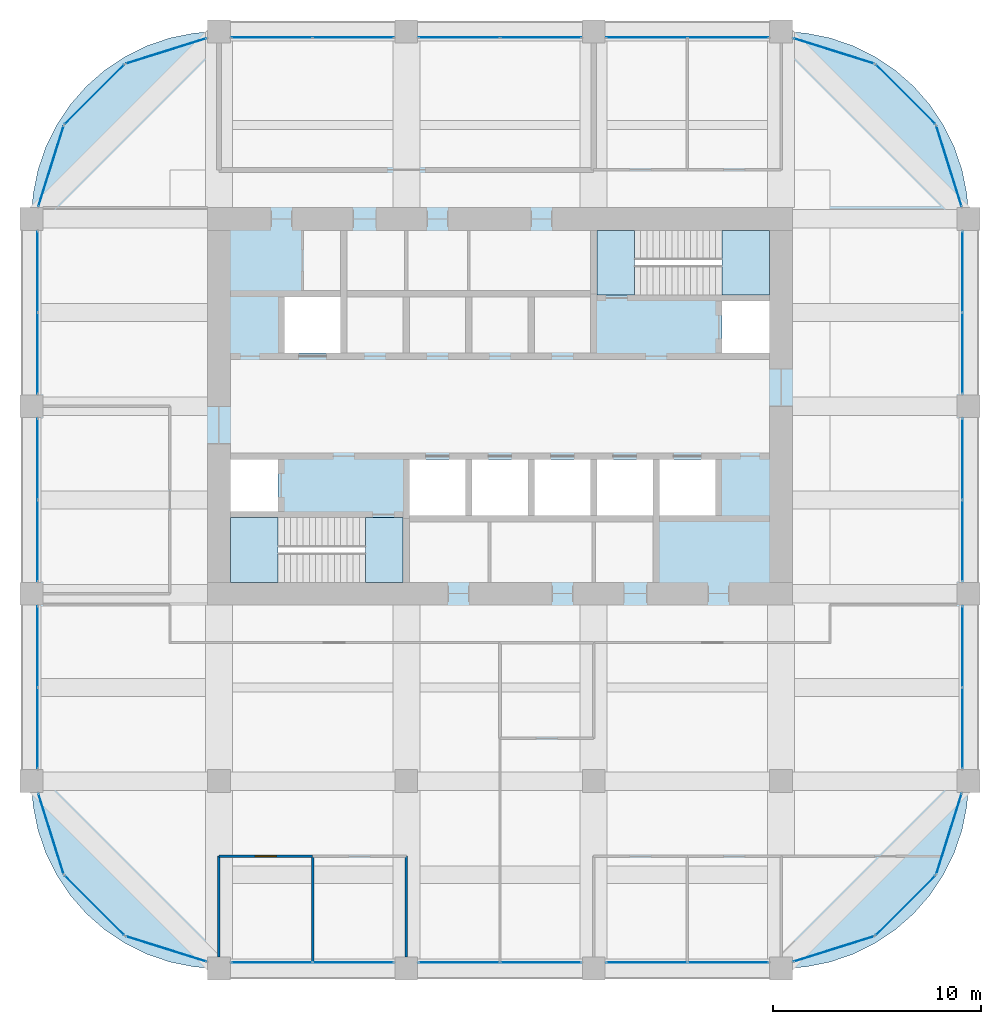
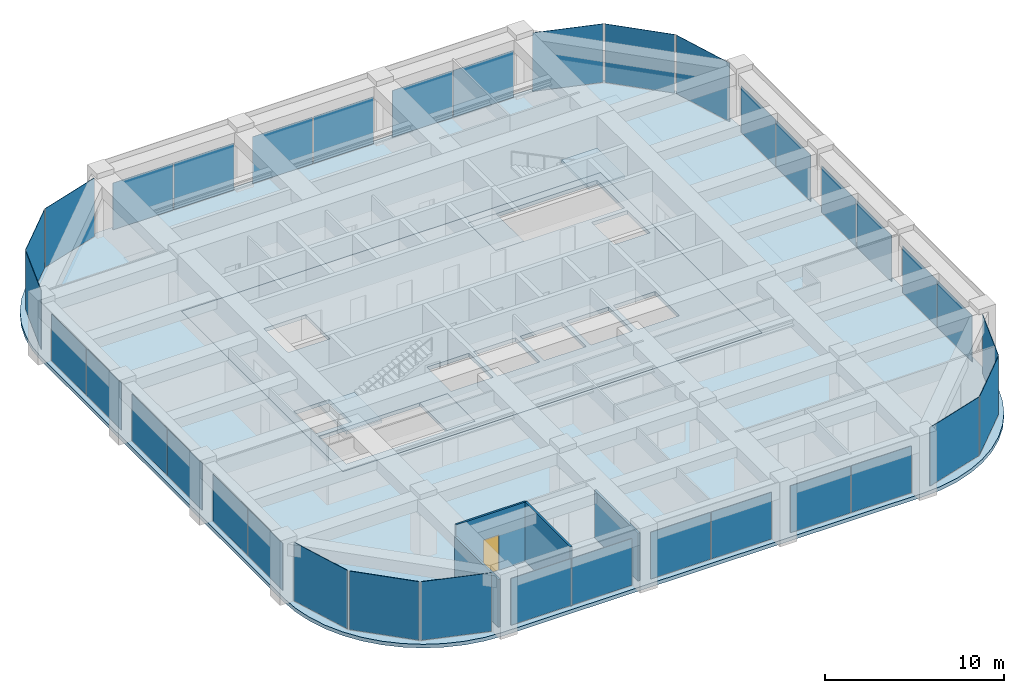
# One storey, part 40 of 44: 36 plates, 6 slabs, 4 walls, 1 door, 1 opening, 26 elements without a shape of their own.
"""IFC4 building model written with IfcOpenShell, lengths in metres."""

from ifc_helpers import new_model, si_unit, direction, frame, frame_2d, origin, origin_2d, place, context, subcontext, project, spatial, polyline, rectangle, outline, extrude, material, layer, layer_set, type_object, element, fill, aggregate, save


model = new_model("IFC4")

# Units and contexts
model_context = context("Model", 3, precision=1e-05, world=origin(), true_north=direction((0.0, 1.0)))
body_context = subcontext(model_context, "Body", "Model", "MODEL_VIEW")
ifc_project = project(units=[si_unit("LENGTHUNIT", "METRE"), si_unit("AREAUNIT", "SQUARE_METRE"), si_unit("VOLUMEUNIT", "CUBIC_METRE"), si_unit("PLANEANGLEUNIT", "RADIAN"), si_unit("MASSUNIT", "GRAM", prefix="KILO")], contexts=[model_context])

# Site, building, storey
site_placement = place(None, origin())
site = spatial("IfcSite", under=ifc_project, at=site_placement, CompositionType="ELEMENT")
building_placement = place(site_placement, origin())
building = spatial("IfcBuilding", under=site, at=building_placement, Name="Zorevar Civic Tower", CompositionType="ELEMENT")
storey_placement = place(building_placement, frame((0.0, 0.0, 307.39990234375)))
storey = spatial("IfcBuildingStorey", under=building, at=storey_placement, Name="L75", CompositionType="ELEMENT", Elevation=307.39990234375)

# Curtain wall, plates
ifc_material_1 = material(Name="Dark grey solar-control glass in black aluminium frame", Category="aluminium")
curtain_wall_type = type_object("IfcCurtainWallType", Name="Curtain wall CW5 top zone", PredefinedType="NOTDEFINED", material=ifc_material_1)
curtain_wall_1_placement = place(storey_placement, origin())
curtain_wall_1 = element("IfcCurtainWall", 1, at=curtain_wall_1_placement, inside=storey, type_object=curtain_wall_type, Name="CW5 L75", PredefinedType="NOTDEFINED")
ifc_material_2 = material(Name="Dark grey solar-control glass", Category="glass")
ifc_layer_1 = layer(ifc_material_2, 0.028076171875)
ifc_layer_set_1 = layer_set([ifc_layer_1], Name="CW5 panel 28")
plate_type = type_object("IfcPlateType", Name="CW5 panel 28", PredefinedType="CURTAIN_PANEL", material=ifc_layer_set_1)
plate_1_placement = place(storey_placement, frame((20.5400390625, 0.300048828125, 0.06005859375), z_axis=(0.0, 0.0, 1.0), x_axis=(1.0, 0.0, 0.0)))
plate_1 = element("IfcPlate", 2, at=plate_1_placement, type_object=plate_type, Name="CW5 panel 1.1", PredefinedType="CURTAIN_PANEL", context=body_context, shape_type="SweptSolid", body=[
    extrude(rectangle(XDim=3.860107421875, YDim=0.028076171875, at=origin_2d()), origin(), (0.0, 0.0, 1.0), 3.18994140625),
])
plate_2_placement = place(storey_placement, frame((24.4599609375, 0.300048828125, 0.06005859375), z_axis=(0.0, 0.0, 1.0), x_axis=(1.0, 0.0, 0.0)))
plate_2 = element("IfcPlate", 3, at=plate_2_placement, type_object=plate_type, Name="CW5 panel 2.1", PredefinedType="CURTAIN_PANEL", context=body_context, shape_type="SweptSolid", body=[
    extrude(rectangle(XDim=3.860107421875, YDim=0.028076171875, at=origin_2d()), origin(), (0.0, 0.0, 1.0), 3.18994140625),
])
aggregate(curtain_wall_1, [plate_1, plate_2])

curtain_wall_2_placement = place(storey_placement, origin())
curtain_wall_2 = element("IfcCurtainWall", 4, at=curtain_wall_2_placement, inside=storey, type_object=curtain_wall_type, Name="CW5 L75", PredefinedType="NOTDEFINED")
plate_3_placement = place(storey_placement, frame((20.5400390625, 44.699951171875, 0.06005859375), z_axis=(0.0, 0.0, 1.0), x_axis=(1.0, 0.0, 0.0)))
plate_3 = element("IfcPlate", 5, at=plate_3_placement, type_object=plate_type, Name="CW5 panel 1.1", PredefinedType="CURTAIN_PANEL", context=body_context, shape_type="SweptSolid", body=[
    extrude(rectangle(XDim=3.860107421875, YDim=0.028076171875, at=origin_2d()), origin(), (0.0, 0.0, 1.0), 3.18994140625),
])
plate_4_placement = place(storey_placement, frame((24.4599609375, 44.699951171875, 0.06005859375), z_axis=(0.0, 0.0, 1.0), x_axis=(1.0, 0.0, 0.0)))
plate_4 = element("IfcPlate", 6, at=plate_4_placement, type_object=plate_type, Name="CW5 panel 2.1", PredefinedType="CURTAIN_PANEL", context=body_context, shape_type="SweptSolid", body=[
    extrude(rectangle(XDim=3.860107421875, YDim=0.028076171875, at=origin_2d()), origin(), (0.0, 0.0, 1.0), 3.18994140625),
])
aggregate(curtain_wall_2, [plate_3, plate_4])

curtain_wall_3_placement = place(storey_placement, origin())
curtain_wall_3 = element("IfcCurtainWall", 7, at=curtain_wall_3_placement, inside=storey, type_object=curtain_wall_type, Name="CW5 L75", PredefinedType="NOTDEFINED")
plate_5_placement = place(storey_placement, frame((29.5400390625, 0.300048828125, 0.06005859375), z_axis=(0.0, 0.0, 1.0), x_axis=(1.0, 0.0, 0.0)))
plate_5 = element("IfcPlate", 8, at=plate_5_placement, type_object=plate_type, Name="CW5 panel 1.1", PredefinedType="CURTAIN_PANEL", context=body_context, shape_type="SweptSolid", body=[
    extrude(rectangle(XDim=3.860107421875, YDim=0.028076171875, at=origin_2d()), origin(), (0.0, 0.0, 1.0), 3.18994140625),
])
plate_6_placement = place(storey_placement, frame((33.4599609375, 0.300048828125, 0.06005859375), z_axis=(0.0, 0.0, 1.0), x_axis=(1.0, 0.0, 0.0)))
plate_6 = element("IfcPlate", 9, at=plate_6_placement, type_object=plate_type, Name="CW5 panel 2.1", PredefinedType="CURTAIN_PANEL", context=body_context, shape_type="SweptSolid", body=[
    extrude(rectangle(XDim=3.860107421875, YDim=0.028076171875, at=origin_2d()), origin(), (0.0, 0.0, 1.0), 3.18994140625),
])
aggregate(curtain_wall_3, [plate_5, plate_6])

curtain_wall_4_placement = place(storey_placement, origin())
curtain_wall_4 = element("IfcCurtainWall", 10, at=curtain_wall_4_placement, inside=storey, type_object=curtain_wall_type, Name="CW5 L75", PredefinedType="NOTDEFINED")
plate_7_placement = place(storey_placement, frame((29.5400390625, 44.699951171875, 0.06005859375), z_axis=(0.0, 0.0, 1.0), x_axis=(1.0, 0.0, 0.0)))
plate_7 = element("IfcPlate", 11, at=plate_7_placement, type_object=plate_type, Name="CW5 panel 1.1", PredefinedType="CURTAIN_PANEL", context=body_context, shape_type="SweptSolid", body=[
    extrude(rectangle(XDim=3.860107421875, YDim=0.028076171875, at=origin_2d()), origin(), (0.0, 0.0, 1.0), 3.18994140625),
])
plate_8_placement = place(storey_placement, frame((33.4599609375, 44.699951171875, 0.06005859375), z_axis=(0.0, 0.0, 1.0), x_axis=(1.0, 0.0, 0.0)))
plate_8 = element("IfcPlate", 12, at=plate_8_placement, type_object=plate_type, Name="CW5 panel 2.1", PredefinedType="CURTAIN_PANEL", context=body_context, shape_type="SweptSolid", body=[
    extrude(rectangle(XDim=3.860107421875, YDim=0.028076171875, at=origin_2d()), origin(), (0.0, 0.0, 1.0), 3.18994140625),
])
aggregate(curtain_wall_4, [plate_7, plate_8])

curtain_wall_5_placement = place(storey_placement, origin())
curtain_wall_5 = element("IfcCurtainWall", 13, at=curtain_wall_5_placement, inside=storey, type_object=curtain_wall_type, Name="CW5 L75", PredefinedType="NOTDEFINED")
plate_9_placement = place(storey_placement, frame((38.5400390625, 0.300048828125, 0.06005859375), z_axis=(0.0, 0.0, 1.0), x_axis=(1.0, 0.0, 0.0)))
plate_9 = element("IfcPlate", 14, at=plate_9_placement, type_object=plate_type, Name="CW5 panel 1.1", PredefinedType="CURTAIN_PANEL", context=body_context, shape_type="SweptSolid", body=[
    extrude(rectangle(XDim=3.860107421875, YDim=0.028076171875, at=origin_2d()), origin(), (0.0, 0.0, 1.0), 3.18994140625),
])
plate_10_placement = place(storey_placement, frame((42.4599609375, 0.300048828125, 0.06005859375), z_axis=(0.0, 0.0, 1.0), x_axis=(1.0, 0.0, 0.0)))
plate_10 = element("IfcPlate", 15, at=plate_10_placement, type_object=plate_type, Name="CW5 panel 2.1", PredefinedType="CURTAIN_PANEL", context=body_context, shape_type="SweptSolid", body=[
    extrude(rectangle(XDim=3.860107421875, YDim=0.028076171875, at=origin_2d()), origin(), (0.0, 0.0, 1.0), 3.18994140625),
])
aggregate(curtain_wall_5, [plate_9, plate_10])

curtain_wall_6_placement = place(storey_placement, origin())
curtain_wall_6 = element("IfcCurtainWall", 16, at=curtain_wall_6_placement, inside=storey, type_object=curtain_wall_type, Name="CW5 L75", PredefinedType="NOTDEFINED")
plate_11_placement = place(storey_placement, frame((38.5400390625, 44.699951171875, 0.06005859375), z_axis=(0.0, 0.0, 1.0), x_axis=(1.0, 0.0, 0.0)))
plate_11 = element("IfcPlate", 17, at=plate_11_placement, type_object=plate_type, Name="CW5 panel 1.1", PredefinedType="CURTAIN_PANEL", context=body_context, shape_type="SweptSolid", body=[
    extrude(rectangle(XDim=3.860107421875, YDim=0.028076171875, at=origin_2d()), origin(), (0.0, 0.0, 1.0), 3.18994140625),
])
plate_12_placement = place(storey_placement, frame((42.4599609375, 44.699951171875, 0.06005859375), z_axis=(0.0, 0.0, 1.0), x_axis=(1.0, 0.0, 0.0)))
plate_12 = element("IfcPlate", 18, at=plate_12_placement, type_object=plate_type, Name="CW5 panel 2.1", PredefinedType="CURTAIN_PANEL", context=body_context, shape_type="SweptSolid", body=[
    extrude(rectangle(XDim=3.860107421875, YDim=0.028076171875, at=origin_2d()), origin(), (0.0, 0.0, 1.0), 3.18994140625),
])
aggregate(curtain_wall_6, [plate_11, plate_12])

curtain_wall_7_placement = place(storey_placement, origin())
curtain_wall_7 = element("IfcCurtainWall", 19, at=curtain_wall_7_placement, inside=storey, type_object=curtain_wall_type, Name="CW5 L75", PredefinedType="NOTDEFINED")
plate_13_placement = place(storey_placement, frame((9.300048828125, 11.5400390625, 0.06005859375), z_axis=(0.0, 0.0, 1.0), x_axis=(0.0, 1.0, 0.0)))
plate_13 = element("IfcPlate", 20, at=plate_13_placement, type_object=plate_type, Name="CW5 panel 1.1", PredefinedType="CURTAIN_PANEL", context=body_context, shape_type="SweptSolid", body=[
    extrude(rectangle(XDim=3.860107421875, YDim=0.028076171875, at=origin_2d()), origin(), (0.0, 0.0, 1.0), 3.18994140625),
])
plate_14_placement = place(storey_placement, frame((9.300048828125, 15.4599609375, 0.06005859375), z_axis=(0.0, 0.0, 1.0), x_axis=(0.0, 1.0, 0.0)))
plate_14 = element("IfcPlate", 21, at=plate_14_placement, type_object=plate_type, Name="CW5 panel 2.1", PredefinedType="CURTAIN_PANEL", context=body_context, shape_type="SweptSolid", body=[
    extrude(rectangle(XDim=3.860107421875, YDim=0.028076171875, at=origin_2d()), origin(), (0.0, 0.0, 1.0), 3.18994140625),
])
aggregate(curtain_wall_7, [plate_13, plate_14])

curtain_wall_8_placement = place(storey_placement, origin())
curtain_wall_8 = element("IfcCurtainWall", 22, at=curtain_wall_8_placement, inside=storey, type_object=curtain_wall_type, Name="CW5 L75", PredefinedType="NOTDEFINED")
plate_15_placement = place(storey_placement, frame((53.699951171875, 11.5400390625, 0.06005859375), z_axis=(0.0, 0.0, 1.0), x_axis=(0.0, 1.0, 0.0)))
plate_15 = element("IfcPlate", 23, at=plate_15_placement, type_object=plate_type, Name="CW5 panel 1.1", PredefinedType="CURTAIN_PANEL", context=body_context, shape_type="SweptSolid", body=[
    extrude(rectangle(XDim=3.860107421875, YDim=0.028076171875, at=origin_2d()), origin(), (0.0, 0.0, 1.0), 3.18994140625),
])
plate_16_placement = place(storey_placement, frame((53.699951171875, 15.4599609375, 0.06005859375), z_axis=(0.0, 0.0, 1.0), x_axis=(0.0, 1.0, 0.0)))
plate_16 = element("IfcPlate", 24, at=plate_16_placement, type_object=plate_type, Name="CW5 panel 2.1", PredefinedType="CURTAIN_PANEL", context=body_context, shape_type="SweptSolid", body=[
    extrude(rectangle(XDim=3.860107421875, YDim=0.028076171875, at=origin_2d()), origin(), (0.0, 0.0, 1.0), 3.18994140625),
])
aggregate(curtain_wall_8, [plate_15, plate_16])

curtain_wall_9_placement = place(storey_placement, origin())
curtain_wall_9 = element("IfcCurtainWall", 25, at=curtain_wall_9_placement, inside=storey, type_object=curtain_wall_type, Name="CW5 L75", PredefinedType="NOTDEFINED")
plate_17_placement = place(storey_placement, frame((9.300048828125, 20.5400390625, 0.06005859375), z_axis=(0.0, 0.0, 1.0), x_axis=(0.0, 1.0, 0.0)))
plate_17 = element("IfcPlate", 26, at=plate_17_placement, type_object=plate_type, Name="CW5 panel 1.1", PredefinedType="CURTAIN_PANEL", context=body_context, shape_type="SweptSolid", body=[
    extrude(rectangle(XDim=3.860107421875, YDim=0.028076171875, at=origin_2d()), origin(), (0.0, 0.0, 1.0), 3.18994140625),
])
plate_18_placement = place(storey_placement, frame((9.300048828125, 24.4599609375, 0.06005859375), z_axis=(0.0, 0.0, 1.0), x_axis=(0.0, 1.0, 0.0)))
plate_18 = element("IfcPlate", 27, at=plate_18_placement, type_object=plate_type, Name="CW5 panel 2.1", PredefinedType="CURTAIN_PANEL", context=body_context, shape_type="SweptSolid", body=[
    extrude(rectangle(XDim=3.860107421875, YDim=0.028076171875, at=origin_2d()), origin(), (0.0, 0.0, 1.0), 3.18994140625),
])
aggregate(curtain_wall_9, [plate_17, plate_18])

curtain_wall_10_placement = place(storey_placement, origin())
curtain_wall_10 = element("IfcCurtainWall", 28, at=curtain_wall_10_placement, inside=storey, type_object=curtain_wall_type, Name="CW5 L75", PredefinedType="NOTDEFINED")
plate_19_placement = place(storey_placement, frame((53.699951171875, 20.5400390625, 0.06005859375), z_axis=(0.0, 0.0, 1.0), x_axis=(0.0, 1.0, 0.0)))
plate_19 = element("IfcPlate", 29, at=plate_19_placement, type_object=plate_type, Name="CW5 panel 1.1", PredefinedType="CURTAIN_PANEL", context=body_context, shape_type="SweptSolid", body=[
    extrude(rectangle(XDim=3.860107421875, YDim=0.028076171875, at=origin_2d()), origin(), (0.0, 0.0, 1.0), 3.18994140625),
])
plate_20_placement = place(storey_placement, frame((53.699951171875, 24.4599609375, 0.06005859375), z_axis=(0.0, 0.0, 1.0), x_axis=(0.0, 1.0, 0.0)))
plate_20 = element("IfcPlate", 30, at=plate_20_placement, type_object=plate_type, Name="CW5 panel 2.1", PredefinedType="CURTAIN_PANEL", context=body_context, shape_type="SweptSolid", body=[
    extrude(rectangle(XDim=3.860107421875, YDim=0.028076171875, at=origin_2d()), origin(), (0.0, 0.0, 1.0), 3.18994140625),
])
aggregate(curtain_wall_10, [plate_19, plate_20])

curtain_wall_11_placement = place(storey_placement, origin())
curtain_wall_11 = element("IfcCurtainWall", 31, at=curtain_wall_11_placement, inside=storey, type_object=curtain_wall_type, Name="CW5 L75", PredefinedType="NOTDEFINED")
plate_21_placement = place(storey_placement, frame((9.300048828125, 29.5400390625, 0.06005859375), z_axis=(0.0, 0.0, 1.0), x_axis=(0.0, 1.0, 0.0)))
plate_21 = element("IfcPlate", 32, at=plate_21_placement, type_object=plate_type, Name="CW5 panel 1.1", PredefinedType="CURTAIN_PANEL", context=body_context, shape_type="SweptSolid", body=[
    extrude(rectangle(XDim=3.860107421875, YDim=0.028076171875, at=origin_2d()), origin(), (0.0, 0.0, 1.0), 3.18994140625),
])
plate_22_placement = place(storey_placement, frame((9.300048828125, 33.4599609375, 0.06005859375), z_axis=(0.0, 0.0, 1.0), x_axis=(0.0, 1.0, 0.0)))
plate_22 = element("IfcPlate", 33, at=plate_22_placement, type_object=plate_type, Name="CW5 panel 2.1", PredefinedType="CURTAIN_PANEL", context=body_context, shape_type="SweptSolid", body=[
    extrude(rectangle(XDim=3.860107421875, YDim=0.028076171875, at=origin_2d()), origin(), (0.0, 0.0, 1.0), 3.18994140625),
])
aggregate(curtain_wall_11, [plate_21, plate_22])

curtain_wall_12_placement = place(storey_placement, origin())
curtain_wall_12 = element("IfcCurtainWall", 34, at=curtain_wall_12_placement, inside=storey, type_object=curtain_wall_type, Name="CW5 L75", PredefinedType="NOTDEFINED")
plate_23_placement = place(storey_placement, frame((53.699951171875, 29.5400390625, 0.06005859375), z_axis=(0.0, 0.0, 1.0), x_axis=(0.0, 1.0, 0.0)))
plate_23 = element("IfcPlate", 35, at=plate_23_placement, type_object=plate_type, Name="CW5 panel 1.1", PredefinedType="CURTAIN_PANEL", context=body_context, shape_type="SweptSolid", body=[
    extrude(rectangle(XDim=3.860107421875, YDim=0.028076171875, at=origin_2d()), origin(), (0.0, 0.0, 1.0), 3.18994140625),
])
plate_24_placement = place(storey_placement, frame((53.699951171875, 33.4599609375, 0.06005859375), z_axis=(0.0, 0.0, 1.0), x_axis=(0.0, 1.0, 0.0)))
plate_24 = element("IfcPlate", 36, at=plate_24_placement, type_object=plate_type, Name="CW5 panel 2.1", PredefinedType="CURTAIN_PANEL", context=body_context, shape_type="SweptSolid", body=[
    extrude(rectangle(XDim=3.860107421875, YDim=0.028076171875, at=origin_2d()), origin(), (0.0, 0.0, 1.0), 3.18994140625),
])
aggregate(curtain_wall_12, [plate_23, plate_24])

# Curtain wall, plate
curtain_wall_13_placement = place(storey_placement, origin())
curtain_wall_13 = element("IfcCurtainWall", 37, at=curtain_wall_13_placement, inside=storey, type_object=curtain_wall_type, Name="CW5 L75", PredefinedType="NOTDEFINED")
plate_25_placement = place(storey_placement, frame((47.52880859375, 0.938232421875, 0.06005859375), z_axis=(0.0, 0.0, 1.0), x_axis=(0.954153437674, 0.299317920238, 0.0)))
plate_25 = element("IfcPlate", 38, at=plate_25_placement, type_object=plate_type, Name="CW5 panel 1.1", PredefinedType="CURTAIN_PANEL", context=body_context, shape_type="SweptSolid", body=[
    extrude(rectangle(XDim=4.028076171875, YDim=0.028076171875, at=origin_2d()), origin(), (0.0, 0.0, 1.0), 3.989990234375),
])
aggregate(curtain_wall_13, [plate_25])

curtain_wall_14_placement = place(storey_placement, origin())
curtain_wall_14 = element("IfcCurtainWall", 39, at=curtain_wall_14_placement, inside=storey, type_object=curtain_wall_type, Name="CW5 L75", PredefinedType="NOTDEFINED")
plate_26_placement = place(storey_placement, frame((50.974365234375, 3.025634765625, 0.06005859375), z_axis=(0.0, 0.0, 1.0), x_axis=(0.707106781187, 0.707106781187, 0.0)))
plate_26 = element("IfcPlate", 40, at=plate_26_placement, type_object=plate_type, Name="CW5 panel 1.1", PredefinedType="CURTAIN_PANEL", context=body_context, shape_type="SweptSolid", body=[
    extrude(rectangle(XDim=4.028076171875, YDim=0.028076171875, at=origin_2d()), origin(), (0.0, 0.0, 1.0), 3.989990234375),
])
aggregate(curtain_wall_14, [plate_26])

curtain_wall_15_placement = place(storey_placement, origin())
curtain_wall_15 = element("IfcCurtainWall", 41, at=curtain_wall_15_placement, inside=storey, type_object=curtain_wall_type, Name="CW5 L75", PredefinedType="NOTDEFINED")
plate_27_placement = place(storey_placement, frame((53.061767578125, 6.47119140625, 0.06005859375), z_axis=(0.0, 0.0, 1.0), x_axis=(0.299317920238, 0.954153437674, 0.0)))
plate_27 = element("IfcPlate", 42, at=plate_27_placement, type_object=plate_type, Name="CW5 panel 1.1", PredefinedType="CURTAIN_PANEL", context=body_context, shape_type="SweptSolid", body=[
    extrude(rectangle(XDim=4.028076171875, YDim=0.028076171875, at=origin_2d()), origin(), (0.0, 0.0, 1.0), 3.989990234375),
])
aggregate(curtain_wall_15, [plate_27])

curtain_wall_16_placement = place(storey_placement, origin())
curtain_wall_16 = element("IfcCurtainWall", 43, at=curtain_wall_16_placement, inside=storey, type_object=curtain_wall_type, Name="CW5 L75", PredefinedType="NOTDEFINED")
plate_28_placement = place(storey_placement, frame((53.061767578125, 38.52880859375, 0.06005859375), z_axis=(0.0, 0.0, 1.0), x_axis=(-0.299317920238, 0.954153437674, 0.0)))
plate_28 = element("IfcPlate", 44, at=plate_28_placement, type_object=plate_type, Name="CW5 panel 1.1", PredefinedType="CURTAIN_PANEL", context=body_context, shape_type="SweptSolid", body=[
    extrude(rectangle(XDim=4.028076171875, YDim=0.028076171875, at=origin_2d()), origin(), (0.0, 0.0, 1.0), 3.989990234375),
])
aggregate(curtain_wall_16, [plate_28])

curtain_wall_17_placement = place(storey_placement, origin())
curtain_wall_17 = element("IfcCurtainWall", 45, at=curtain_wall_17_placement, inside=storey, type_object=curtain_wall_type, Name="CW5 L75", PredefinedType="NOTDEFINED")
plate_29_placement = place(storey_placement, frame((50.974365234375, 41.974365234375, 0.06005859375), z_axis=(0.0, 0.0, 1.0), x_axis=(-0.707106781187, 0.707106781187, 0.0)))
plate_29 = element("IfcPlate", 46, at=plate_29_placement, type_object=plate_type, Name="CW5 panel 1.1", PredefinedType="CURTAIN_PANEL", context=body_context, shape_type="SweptSolid", body=[
    extrude(rectangle(XDim=4.028076171875, YDim=0.028076171875, at=origin_2d()), origin(), (0.0, 0.0, 1.0), 3.989990234375),
])
aggregate(curtain_wall_17, [plate_29])

curtain_wall_18_placement = place(storey_placement, origin())
curtain_wall_18 = element("IfcCurtainWall", 47, at=curtain_wall_18_placement, inside=storey, type_object=curtain_wall_type, Name="CW5 L75", PredefinedType="NOTDEFINED")
plate_30_placement = place(storey_placement, frame((47.52880859375, 44.061767578125, 0.06005859375), z_axis=(0.0, 0.0, 1.0), x_axis=(-0.954153437674, 0.299317920238, 0.0)))
plate_30 = element("IfcPlate", 48, at=plate_30_placement, type_object=plate_type, Name="CW5 panel 1.1", PredefinedType="CURTAIN_PANEL", context=body_context, shape_type="SweptSolid", body=[
    extrude(rectangle(XDim=4.028076171875, YDim=0.028076171875, at=origin_2d()), origin(), (0.0, 0.0, 1.0), 3.989990234375),
])
aggregate(curtain_wall_18, [plate_30])

curtain_wall_19_placement = place(storey_placement, origin())
curtain_wall_19 = element("IfcCurtainWall", 49, at=curtain_wall_19_placement, inside=storey, type_object=curtain_wall_type, Name="CW5 L75", PredefinedType="NOTDEFINED")
plate_31_placement = place(storey_placement, frame((15.47119140625, 44.061767578125, 0.06005859375), z_axis=(0.0, 0.0, 1.0), x_axis=(-0.954153437674, -0.299317920238, 0.0)))
plate_31 = element("IfcPlate", 50, at=plate_31_placement, type_object=plate_type, Name="CW5 panel 1.1", PredefinedType="CURTAIN_PANEL", context=body_context, shape_type="SweptSolid", body=[
    extrude(rectangle(XDim=4.028076171875, YDim=0.028076171875, at=origin_2d()), origin(), (0.0, 0.0, 1.0), 3.989990234375),
])
aggregate(curtain_wall_19, [plate_31])

curtain_wall_20_placement = place(storey_placement, origin())
curtain_wall_20 = element("IfcCurtainWall", 51, at=curtain_wall_20_placement, inside=storey, type_object=curtain_wall_type, Name="CW5 L75", PredefinedType="NOTDEFINED")
plate_32_placement = place(storey_placement, frame((12.025634765625, 41.974365234375, 0.06005859375), z_axis=(0.0, 0.0, 1.0), x_axis=(-0.707106781187, -0.707106781187, 0.0)))
plate_32 = element("IfcPlate", 52, at=plate_32_placement, type_object=plate_type, Name="CW5 panel 1.1", PredefinedType="CURTAIN_PANEL", context=body_context, shape_type="SweptSolid", body=[
    extrude(rectangle(XDim=4.028076171875, YDim=0.028076171875, at=origin_2d()), origin(), (0.0, 0.0, 1.0), 3.989990234375),
])
aggregate(curtain_wall_20, [plate_32])

curtain_wall_21_placement = place(storey_placement, origin())
curtain_wall_21 = element("IfcCurtainWall", 53, at=curtain_wall_21_placement, inside=storey, type_object=curtain_wall_type, Name="CW5 L75", PredefinedType="NOTDEFINED")
plate_33_placement = place(storey_placement, frame((9.938232421875, 38.52880859375, 0.06005859375), z_axis=(0.0, 0.0, 1.0), x_axis=(-0.299317920238, -0.954153437674, 0.0)))
plate_33 = element("IfcPlate", 54, at=plate_33_placement, type_object=plate_type, Name="CW5 panel 1.1", PredefinedType="CURTAIN_PANEL", context=body_context, shape_type="SweptSolid", body=[
    extrude(rectangle(XDim=4.028076171875, YDim=0.028076171875, at=origin_2d()), origin(), (0.0, 0.0, 1.0), 3.989990234375),
])
aggregate(curtain_wall_21, [plate_33])

curtain_wall_22_placement = place(storey_placement, origin())
curtain_wall_22 = element("IfcCurtainWall", 55, at=curtain_wall_22_placement, inside=storey, type_object=curtain_wall_type, Name="CW5 L75", PredefinedType="NOTDEFINED")
plate_34_placement = place(storey_placement, frame((9.938232421875, 6.47119140625, 0.06005859375), z_axis=(0.0, 0.0, 1.0), x_axis=(0.299317920238, -0.954153437674, 0.0)))
plate_34 = element("IfcPlate", 56, at=plate_34_placement, type_object=plate_type, Name="CW5 panel 1.1", PredefinedType="CURTAIN_PANEL", context=body_context, shape_type="SweptSolid", body=[
    extrude(rectangle(XDim=4.028076171875, YDim=0.028076171875, at=origin_2d()), origin(), (0.0, 0.0, 1.0), 3.989990234375),
])
aggregate(curtain_wall_22, [plate_34])

curtain_wall_23_placement = place(storey_placement, origin())
curtain_wall_23 = element("IfcCurtainWall", 57, at=curtain_wall_23_placement, inside=storey, type_object=curtain_wall_type, Name="CW5 L75", PredefinedType="NOTDEFINED")
plate_35_placement = place(storey_placement, frame((12.025634765625, 3.025634765625, 0.06005859375), z_axis=(0.0, 0.0, 1.0), x_axis=(0.707106781187, -0.707106781187, 0.0)))
plate_35 = element("IfcPlate", 58, at=plate_35_placement, type_object=plate_type, Name="CW5 panel 1.1", PredefinedType="CURTAIN_PANEL", context=body_context, shape_type="SweptSolid", body=[
    extrude(rectangle(XDim=4.028076171875, YDim=0.028076171875, at=origin_2d()), origin(), (0.0, 0.0, 1.0), 3.989990234375),
])
aggregate(curtain_wall_23, [plate_35])

curtain_wall_24_placement = place(storey_placement, origin())
curtain_wall_24 = element("IfcCurtainWall", 59, at=curtain_wall_24_placement, inside=storey, type_object=curtain_wall_type, Name="CW5 L75", PredefinedType="NOTDEFINED")
plate_36_placement = place(storey_placement, frame((15.47119140625, 0.938232421875, 0.06005859375), z_axis=(0.0, 0.0, 1.0), x_axis=(0.954153437674, -0.299317920238, 0.0)))
plate_36 = element("IfcPlate", 60, at=plate_36_placement, type_object=plate_type, Name="CW5 panel 1.1", PredefinedType="CURTAIN_PANEL", context=body_context, shape_type="SweptSolid", body=[
    extrude(rectangle(XDim=4.028076171875, YDim=0.028076171875, at=origin_2d()), origin(), (0.0, 0.0, 1.0), 3.989990234375),
])
aggregate(curtain_wall_24, [plate_36])

# Slabs
ifc_material_3 = material(Name="Concrete C40/50", Category="concrete")
ifc_layer_2 = layer(ifc_material_3, 0.25)
ifc_layer_set_2 = layer_set([ifc_layer_2], Name="Floor slab 250")
slab_type_1 = type_object("IfcSlabType", Name="Floor slab 250", PredefinedType="FLOOR", material=ifc_layer_set_2)
slab_1_placement = place(storey_placement, frame((0.0, 0.0, -0.25)))
element("IfcSlab", 61, at=slab_1_placement, inside=storey, type_object=slab_type_1, Name="Floor slab L75", PredefinedType="FLOOR", context=body_context, shape_type="SweptSolid", body=[
    extrude(outline(polyline([(45.0, 0.0), (46.1748046875, 0.076904296875), (47.329345703125, 0.306640625), (48.444091796875, 0.68505859375), (49.5, 1.205810546875), (50.478759765625, 1.85986328125), (51.364013671875, 2.635986328125), (52.14013671875, 3.521240234375), (52.794189453125, 4.5), (53.31494140625, 5.555908203125), (53.693359375, 6.670654296875), (53.923095703125, 7.8251953125), (54.0, 9.0), (54.0, 36.0), (53.923095703125, 37.1748046875), (53.693359375, 38.329345703125), (53.31494140625, 39.444091796875), (52.794189453125, 40.5), (52.14013671875, 41.478759765625), (51.364013671875, 42.364013671875), (50.478759765625, 43.14013671875), (49.5, 43.794189453125), (48.444091796875, 44.31494140625), (47.329345703125, 44.693359375), (46.1748046875, 44.923095703125), (45.0, 45.0), (18.0, 45.0), (16.8251953125, 44.923095703125), (15.670654296875, 44.693359375), (14.555908203125, 44.31494140625), (13.5, 43.794189453125), (12.521240234375, 43.14013671875), (11.635986328125, 42.364013671875), (10.85986328125, 41.478759765625), (10.205810546875, 40.5), (9.68505859375, 39.444091796875), (9.306640625, 38.329345703125), (9.076904296875, 37.1748046875), (9.0, 36.0), (9.0, 9.0), (9.076904296875, 7.8251953125), (9.306640625, 6.670654296875), (9.68505859375, 5.555908203125), (10.205810546875, 4.5), (10.85986328125, 3.521240234375), (11.635986328125, 2.635986328125), (12.521240234375, 1.85986328125), (13.5, 1.205810546875), (14.555908203125, 0.68505859375), (15.670654296875, 0.306640625), (16.8251953125, 0.076904296875), (18.0, 0.0), (45.0, 0.0)]), holes=[polyline([(18.0, 18.0), (45.0, 18.0), (45.0, 36.0), (18.0, 36.0), (18.0, 18.0)])]), origin(), (0.0, 0.0, 1.0), 0.25),
])
slab_2_placement = place(storey_placement, frame((0.0, 0.0, -0.25)))
element("IfcSlab", 62, at=slab_2_placement, inside=storey, type_object=slab_type_1, Name="Core floor L75", PredefinedType="FLOOR", context=body_context, shape_type="SweptSolid", body=[
    extrude(outline(polyline([(18.0, 18.0), (45.0, 18.0), (45.0, 36.0), (18.0, 36.0), (18.0, 18.0)]), holes=[polyline([(18.550048828125, 18.550048828125), (26.85009765625, 18.550048828125), (26.85009765625, 21.64990234375), (18.550048828125, 21.64990234375), (18.550048828125, 18.550048828125)]), polyline([(36.14990234375, 32.35009765625), (44.449951171875, 32.35009765625), (44.449951171875, 35.449951171875), (36.14990234375, 35.449951171875), (36.14990234375, 32.35009765625)]), polyline([(18.550048828125, 21.949951171875), (20.85009765625, 21.949951171875), (20.85009765625, 24.449951171875), (18.550048828125, 24.449951171875), (18.550048828125, 21.949951171875)]), polyline([(42.14990234375, 29.550048828125), (44.449951171875, 29.550048828125), (44.449951171875, 32.050048828125), (42.14990234375, 32.050048828125), (42.14990234375, 29.550048828125)]), polyline([(27.14990234375, 21.75), (29.85009765625, 21.75), (29.85009765625, 24.449951171875), (27.14990234375, 24.449951171875), (27.14990234375, 21.75)]), polyline([(30.14990234375, 21.75), (32.85009765625, 21.75), (32.85009765625, 24.449951171875), (30.14990234375, 24.449951171875), (30.14990234375, 21.75)]), polyline([(33.14990234375, 21.75), (35.85009765625, 21.75), (35.85009765625, 24.449951171875), (33.14990234375, 24.449951171875), (33.14990234375, 21.75)]), polyline([(36.14990234375, 21.75), (38.85009765625, 21.75), (38.85009765625, 24.449951171875), (36.14990234375, 24.449951171875), (36.14990234375, 21.75)]), polyline([(39.14990234375, 21.75), (41.85009765625, 21.75), (41.85009765625, 24.449951171875), (39.14990234375, 24.449951171875), (39.14990234375, 21.75)]), polyline([(21.14990234375, 29.550048828125), (23.85009765625, 29.550048828125), (23.85009765625, 32.25), (21.14990234375, 32.25), (21.14990234375, 29.550048828125)])]), origin(), (0.0, 0.0, 1.0), 0.25),
])

# Stair, slabs
ifc_material_4 = material(Name="Precast concrete C40/50", Category="concrete")
stair_type = type_object("IfcStairType", Name="Stair ST 30R", PredefinedType="HALF_TURN_STAIR", material=ifc_material_4)
stair_1_placement = place(storey_placement, origin())
stair_1 = element("IfcStair", 63, at=stair_1_placement, inside=storey, type_object=stair_type, Name="Stair ST1 L75", PredefinedType="HALF_TURN_STAIR")
ifc_material_5 = material(Name="Concrete C40/50", Category="concrete")
ifc_layer_3 = layer(ifc_material_5, 0.199951171875)
ifc_layer_set_3 = layer_set([ifc_layer_3], Name="Stair landing 200")
slab_type_2 = type_object("IfcSlabType", Name="Stair landing 200", PredefinedType="LANDING", material=ifc_layer_set_3)
slab_3_placement = place(storey_placement, frame((0.0, 0.0, -0.199951171875)))
slab_3 = element("IfcSlab", 64, at=slab_3_placement, type_object=slab_type_2, Name="ST1 landing 1", PredefinedType="LANDING", context=body_context, shape_type="SweptSolid", body=[
    extrude(outline(polyline([(25.050048828125, 18.550048828125), (26.85009765625, 18.550048828125), (26.85009765625, 21.64990234375), (25.050048828125, 21.64990234375), (25.050048828125, 18.550048828125)])), origin(), (0.0, 0.0, 1.0), 0.199951171875),
])
slab_4_placement = place(storey_placement, frame((0.0, 0.0, 2.0)))
slab_4 = element("IfcSlab", 65, at=slab_4_placement, type_object=slab_type_2, Name="ST1 landing 2", PredefinedType="LANDING", context=body_context, shape_type="SweptSolid", body=[
    extrude(outline(polyline([(18.550048828125, 18.550048828125), (20.85009765625, 18.550048828125), (20.85009765625, 21.64990234375), (18.550048828125, 21.64990234375), (18.550048828125, 18.550048828125)])), origin(), (0.0, 0.0, 1.0), 0.2001953125),
])
aggregate(stair_1, [slab_3, slab_4])

stair_2_placement = place(storey_placement, origin())
stair_2 = element("IfcStair", 66, at=stair_2_placement, inside=storey, type_object=stair_type, Name="Stair ST2 L75", PredefinedType="HALF_TURN_STAIR")
slab_5_placement = place(storey_placement, frame((0.0, 0.0, -0.199951171875)))
slab_5 = element("IfcSlab", 67, at=slab_5_placement, type_object=slab_type_2, Name="ST2 landing 1", PredefinedType="LANDING", context=body_context, shape_type="SweptSolid", body=[
    extrude(outline(polyline([(37.949951171875, 32.35009765625), (36.14990234375, 32.35009765625), (36.14990234375, 35.449951171875), (37.949951171875, 35.449951171875), (37.949951171875, 32.35009765625)])), origin(), (0.0, 0.0, 1.0), 0.199951171875),
])
slab_6_placement = place(storey_placement, frame((0.0, 0.0, 2.0)))
slab_6 = element("IfcSlab", 68, at=slab_6_placement, type_object=slab_type_2, Name="ST2 landing 2", PredefinedType="LANDING", context=body_context, shape_type="SweptSolid", body=[
    extrude(outline(polyline([(44.449951171875, 32.35009765625), (42.14990234375, 32.35009765625), (42.14990234375, 35.449951171875), (44.449951171875, 35.449951171875), (44.449951171875, 32.35009765625)])), origin(), (0.0, 0.0, 1.0), 0.2001953125),
])
aggregate(stair_2, [slab_5, slab_6])

# Wall, opening, door
ifc_material_6 = material(Name="Gypsum board on steel studs", Category="steel")
ifc_layer_4 = layer(ifc_material_6, 0.1201171875)
ifc_layer_set_4 = layer_set([ifc_layer_4], Name="Partition 120")
wall_type = type_object("IfcWallType", Name="Partition 120", PredefinedType="PARTITIONING", material=ifc_layer_set_4)
wall_1_placement = place(storey_placement, frame((18.0, 5.39990234375, 0.0), z_axis=(0.0, 0.0, 1.0), x_axis=(1.0, 0.0, 0.0)))
wall_1 = element("IfcWall", 69, at=wall_1_placement, inside=storey, type_object=wall_type, Name="Partition 120 L75", PredefinedType="PARTITIONING", context=body_context, shape_type="SweptSolid", body=[
    extrude(rectangle(XDim=4.5, YDim=0.1201171875, at=frame_2d((2.25, 0.0))), origin(), (0.0, 0.0, 1.0), 4.050048828125),
])
opening_placement = place(wall_1_placement, frame((1.75, 0.0, 0.0)))
opening = element("IfcOpeningElement", 70, at=opening_placement, cuts=wall_1, Name="Opening L75.17", PredefinedType="OPENING", context=body_context, shape_type="SweptSolid", body=[
    extrude(rectangle(XDim=1.0, YDim=2.39990234375, at=frame_2d((0.5, 1.199951171875))), frame((0.0, 0.070068359375, 0.0), z_axis=(0.0, -1.0, 0.0), x_axis=(1.0, 0.0, 0.0)), (0.0, 0.0, 1.0), 0.14013671875),
])
ifc_material_7 = material(Name="Timber door set", Category="wood")
door_type = type_object("IfcDoorType", Name="Door D1 1000x2400", OperationType="SINGLE_SWING_LEFT", PredefinedType="DOOR", material=ifc_material_7)
door_placement = place(opening_placement, origin())
door = element("IfcDoor", 71, at=door_placement, inside=storey, type_object=door_type, Name="Door L75 D1", OperationType="SINGLE_SWING_RIGHT", OverallHeight=2.39990234375, OverallWidth=1.0, PredefinedType="DOOR", context=body_context, shape_type="SweptSolid", body=[
    extrude(rectangle(XDim=1.0, YDim=2.39990234375, at=frame_2d((0.5, 1.199951171875))), frame((0.0, 0.02490234375, 0.0), z_axis=(0.0, -1.0, 0.0), x_axis=(1.0, 0.0, 0.0)), (0.0, 0.0, 1.0), 0.050048828125),
])
fill(opening, door)

# Walls
wall_2_placement = place(storey_placement, frame((18.0, 0.550048828125, 0.0), z_axis=(0.0, 0.0, 1.0), x_axis=(0.0, 1.0, 0.0)))
element("IfcWall", 72, at=wall_2_placement, inside=storey, type_object=wall_type, Name="Partition 120 L75", PredefinedType="PARTITIONING", context=body_context, shape_type="SweptSolid", body=[
    extrude(rectangle(XDim=4.849853515625, YDim=0.1201171875, at=frame_2d((2.4248046875, 0.0))), origin(), (0.0, 0.0, 1.0), 3.25),
])
wall_3_placement = place(storey_placement, frame((22.5, 0.31005859375, 0.0), z_axis=(0.0, 0.0, 1.0), x_axis=(0.0, 1.0, 0.0)))
element("IfcWall", 73, at=wall_3_placement, inside=storey, type_object=wall_type, Name="Partition 120 L75", PredefinedType="PARTITIONING", context=body_context, shape_type="SweptSolid", body=[
    extrude(rectangle(XDim=5.08984375, YDim=0.1201171875, at=frame_2d((2.544921875, 0.0))), origin(), (0.0, 0.0, 1.0), 4.050048828125),
])
wall_4_placement = place(storey_placement, frame((27.0, 0.550048828125, 0.0), z_axis=(0.0, 0.0, 1.0), x_axis=(0.0, 1.0, 0.0)))
element("IfcWall", 74, at=wall_4_placement, inside=storey, type_object=wall_type, Name="Partition 120 L75", PredefinedType="PARTITIONING", context=body_context, shape_type="SweptSolid", body=[
    extrude(rectangle(XDim=4.849853515625, YDim=0.1201171875, at=frame_2d((2.4248046875, 0.0))), origin(), (0.0, 0.0, 1.0), 3.25),
])

save(model, "model.ifc")
